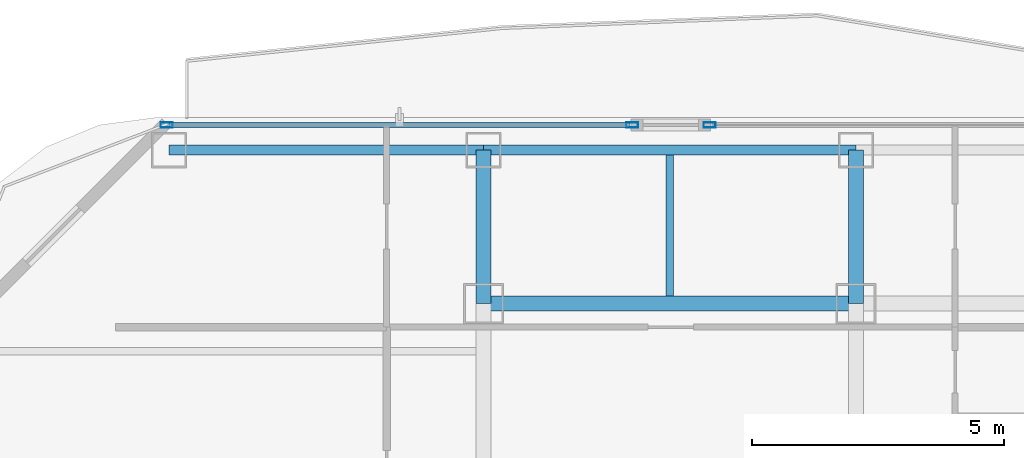
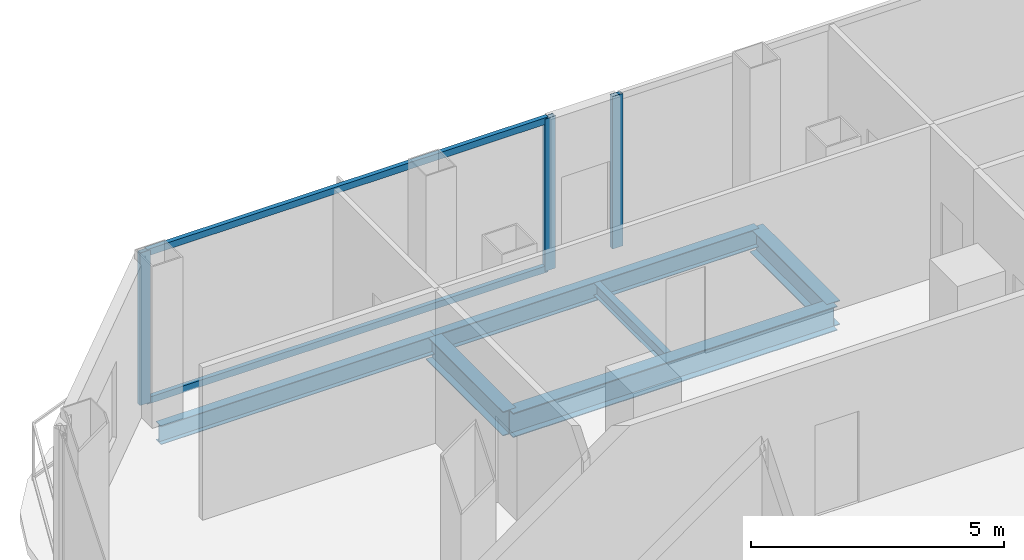
# One storey, part 18 of 34: 6 beams, 5 members, 2 elements without a shape of their own.
"""IFC4 building model written with IfcOpenShell, lengths in metres."""

from ifc_helpers import new_model, si_unit, direction, frame, origin, origin_2d, place, context, subcontext, project, spatial, hollow_rectangle, i_section, extrude, material, layer, layer_set, material_profile, profile_set, type_object, element, aggregate, save


model = new_model("IFC4")

# Units and contexts
model_context = context("Model", 3, precision=1e-05, world=origin(), true_north=direction((0.0, 1.0)))
body_context = subcontext(model_context, "Body", "Model", "MODEL_VIEW")
ifc_project = project(units=[si_unit("LENGTHUNIT", "METRE"), si_unit("AREAUNIT", "SQUARE_METRE"), si_unit("VOLUMEUNIT", "CUBIC_METRE"), si_unit("PLANEANGLEUNIT", "RADIAN"), si_unit("MASSUNIT", "GRAM", prefix="KILO")], contexts=[model_context])

# Site, building, storey
site_placement = place(None, origin())
site = spatial("IfcSite", under=ifc_project, at=site_placement, CompositionType="ELEMENT")
building_placement = place(site_placement, origin())
building = spatial("IfcBuilding", under=site, at=building_placement, Name="Khorvyn Point Tower", CompositionType="ELEMENT")
storey_placement = place(building_placement, frame((0.0, 0.0, 175.800048828125)))
storey = spatial("IfcBuildingStorey", under=building, at=storey_placement, Name="L43", CompositionType="ELEMENT", Elevation=175.800048828125)

# Curtain wall, members
ifc_material_1 = material(Name="Anodised aluminium 6063-T6 and laminated Low-E glass", Category="aluminium")
ifc_layer = layer(ifc_material_1, 0.18994140625)
ifc_layer_set = layer_set([ifc_layer], Name="Stick-Built Acoustic Curtain Wall CW-SYS-03")
curtain_wall_type = type_object("IfcCurtainWallType", Name="Stick-Built Acoustic Curtain Wall CW-SYS-03", PredefinedType="NOTDEFINED", material=ifc_layer_set)
curtain_wall_1_placement = place(storey_placement, origin())
curtain_wall_1 = element("IfcCurtainWall", 1, at=curtain_wall_1_placement, inside=storey, type_object=curtain_wall_type, Name="Curtain Wall", PredefinedType="NOTDEFINED")
ifc_material_2 = material(Name="Anodised aluminium 6063-T6", Category="aluminium")
ifc_material_profile_1 = material_profile(ifc_material_2, hollow_rectangle(XDim=0.10009765625, YDim=0.239990234375, WallThickness=0.0048828125, at=origin_2d()))
ifc_profile_set_1 = profile_set([ifc_material_profile_1], Name="Anodised aluminium 6063-T6 ALU-MUL-100x240")
member_type_1 = type_object("IfcMemberType", Name="Anodised Aluminium 6063-T6 Mullion ALU-MUL-100x240", PredefinedType="MULLION", material=ifc_profile_set_1)
member_1_placement = place(storey_placement, frame((-21.10009765625, 23.64990234375, 0.0), z_axis=(0.0, 0.0, 1.0), x_axis=(0.0, 1.0, 0.0)))
member_1 = element("IfcMember", 2, at=member_1_placement, type_object=member_type_1, Name="Transom", PredefinedType="MULLION", context=body_context, shape_type="SweptSolid", body=[
    extrude(hollow_rectangle(XDim=0.10009765625, YDim=0.239990234375, WallThickness=0.0048828125, at=origin_2d()), origin(), (0.0, 0.0, 1.0), 3.679931640625),
])
member_2_placement = place(storey_placement, frame((-11.846923828125, 23.64990234375, 0.0), z_axis=(0.0, 0.0, 1.0), x_axis=(0.0, 1.0, 0.0)))
member_2 = element("IfcMember", 3, at=member_2_placement, type_object=member_type_1, Name="Transom", PredefinedType="MULLION", context=body_context, shape_type="SweptSolid", body=[
    extrude(hollow_rectangle(XDim=0.10009765625, YDim=0.239990234375, WallThickness=0.0048828125, at=origin_2d()), origin(), (0.0, 0.0, 1.0), 3.679931640625),
])

# Curtain wall, member
curtain_wall_2_placement = place(storey_placement, origin())
curtain_wall_2 = element("IfcCurtainWall", 4, at=curtain_wall_2_placement, inside=storey, type_object=curtain_wall_type, Name="Curtain Wall", PredefinedType="NOTDEFINED")
member_3_placement = place(storey_placement, frame((-10.306884765625, 23.64990234375, 0.0), z_axis=(0.0, 0.0, 1.0), x_axis=(0.0, 1.0, 0.0)))
member_3 = element("IfcMember", 5, at=member_3_placement, type_object=member_type_1, Name="Transom", PredefinedType="MULLION", context=body_context, shape_type="SweptSolid", body=[
    extrude(hollow_rectangle(XDim=0.10009765625, YDim=0.239990234375, WallThickness=0.0048828125, at=origin_2d()), origin(), (0.0, 0.0, 1.0), 3.679931640625),
])
aggregate(curtain_wall_2, [member_3])

# Member
ifc_material_profile_2 = material_profile(ifc_material_2, hollow_rectangle(XDim=0.10009765625, YDim=0.159912109375, WallThickness=0.00439453125, at=origin_2d()))
ifc_profile_set_2 = profile_set([ifc_material_profile_2], Name="Anodised aluminium 6063-T6 ALU-TRN-100x160")
member_type_2 = type_object("IfcMemberType", Name="Anodised Aluminium 6063-T6 Transom ALU-TRN-100x160", PredefinedType="USERDEFINED", material=ifc_profile_set_2)
member_4_placement = place(storey_placement, frame((-21.050048828125, 23.64990234375, 0.050048828125), z_axis=(1.0, 0.0, 0.0), x_axis=(0.0, 1.0, 0.0)))
member_4 = element("IfcMember", 6, at=member_4_placement, type_object=member_type_2, Name="Transom", ObjectType="TRANSOM", PredefinedType="USERDEFINED", context=body_context, shape_type="SweptSolid", body=[
    extrude(hollow_rectangle(XDim=0.10009765625, YDim=0.159912109375, WallThickness=0.00439453125, at=origin_2d()), origin(), (0.0, 0.0, 1.0), 9.153076171875),
])

member_5_placement = place(storey_placement, frame((-21.050048828125, 23.64990234375, 3.6298828125), z_axis=(1.0, 0.0, 0.0), x_axis=(0.0, 1.0, 0.0)))
member_5 = element("IfcMember", 7, at=member_5_placement, type_object=member_type_2, Name="Transom", ObjectType="TRANSOM", PredefinedType="USERDEFINED", context=body_context, shape_type="SweptSolid", body=[
    extrude(hollow_rectangle(XDim=0.10009765625, YDim=0.159912109375, WallThickness=0.00439453125, at=origin_2d()), origin(), (0.0, 0.0, 1.0), 9.153076171875),
])

aggregate(curtain_wall_1, [member_1, member_2, member_4, member_5])

# Beams
ifc_material_3 = material(Name="Steel S355", Category="steel")
ifc_material_profile_3 = material_profile(ifc_material_3, i_section(OverallWidth=0.300048828125, OverallDepth=0.587890625, WebThickness=0.011962890625, FlangeThickness=0.02001953125, at=origin_2d()))
ifc_profile_set_3 = profile_set([ifc_material_profile_3], Name="Steel S355 H588x300x12x20")
beam_type_1 = type_object("IfcBeamType", Name="Steel S355 Beam H588x300x12x20", PredefinedType="BEAM", material=ifc_profile_set_3)
beam_1_placement = place(storey_placement, frame((-14.800048828125, 20.10009765625, -0.51416015625), z_axis=(1.0, 0.0, 0.0), x_axis=(0.0, 1.0, 0.0)))
element("IfcBeam", 8, at=beam_1_placement, inside=storey, type_object=beam_type_1, Name="Beam", PredefinedType="BEAM", context=body_context, shape_type="SweptSolid", body=[
    extrude(i_section(OverallWidth=0.300048828125, OverallDepth=0.587890625, WebThickness=0.011962890625, FlangeThickness=0.02001953125, at=origin_2d()), origin(), (0.0, 0.0, 1.0), 7.400146484375),
])
for number, where, z_axis, x_axis, name in (
    (9, (-14.800048828125, 20.10009765625, -0.51416015625), (0.0, 1.0, 0.0), (-1.0, 0.0, 0.0), "Beam"),
    (10, (-7.39990234375, 20.10009765625, -0.51416015625), (0.0, 1.0, 0.0), (-1.0, 0.0, 0.0), "Beam"),
):
    element("IfcBeam", number, at=place(storey_placement, frame(where, z_axis=z_axis, x_axis=x_axis)), inside=storey, type_object=beam_type_1, Name=name, PredefinedType="BEAM", context=body_context, shape_type="SweptSolid", body=[
        extrude(i_section(OverallWidth=0.300048828125, OverallDepth=0.587890625, WebThickness=0.011962890625, FlangeThickness=0.02001953125, at=origin_2d()), origin(), (0.0, 0.0, 1.0), 3.0498046875),
    ])
ifc_material_profile_4 = material_profile(ifc_material_3, i_section(OverallWidth=0.14990234375, OverallDepth=0.300048828125, WebThickness=0.006591796875, FlangeThickness=0.009033203125, at=origin_2d()))
ifc_profile_set_4 = profile_set([ifc_material_profile_4], Name="Steel S355 H300x150x6.5x9")
beam_type_2 = type_object("IfcBeamType", Name="Steel S355 Joist H300x150x6.5x9", PredefinedType="JOIST", material=ifc_profile_set_4)
beam_2_placement = place(storey_placement, frame((-11.10009765625, 20.25, -0.3701171875), z_axis=(0.0, 1.0, 0.0), x_axis=(-1.0, 0.0, 0.0)))
element("IfcBeam", 11, at=beam_2_placement, inside=storey, type_object=beam_type_2, Name="Beam", PredefinedType="JOIST", context=body_context, shape_type="SweptSolid", body=[
    extrude(i_section(OverallWidth=0.14990234375, OverallDepth=0.300048828125, WebThickness=0.006591796875, FlangeThickness=0.009033203125, at=origin_2d()), origin(), (0.0, 0.0, 1.0), 2.800048828125),
])
ifc_material_profile_5 = material_profile(ifc_material_3, i_section(OverallWidth=0.199951171875, OverallDepth=0.449951171875, WebThickness=0.009033203125, FlangeThickness=0.013916015625, at=origin_2d()))
ifc_profile_set_5 = profile_set([ifc_material_profile_5], Name="Steel S355 H450x200x9x14")
beam_type_3 = type_object("IfcBeamType", Name="Steel S355 Spandrel H450x200x9x14", PredefinedType="SPANDREL", material=ifc_profile_set_5)
beam_3_placement = place(storey_placement, frame((-21.050048828125, 23.14990234375, -0.445068359375), z_axis=(1.0, 0.0, 0.0), x_axis=(0.0, 1.0, 0.0)))
element("IfcBeam", 12, at=beam_3_placement, inside=storey, type_object=beam_type_3, Name="Beam", PredefinedType="SPANDREL", context=body_context, shape_type="SweptSolid", body=[
    extrude(i_section(OverallWidth=0.199951171875, OverallDepth=0.449951171875, WebThickness=0.009033203125, FlangeThickness=0.013916015625, at=origin_2d()), origin(), (0.0, 0.0, 1.0), 6.25),
])
beam_4_placement = place(storey_placement, frame((-14.800048828125, 23.14990234375, -0.445068359375), z_axis=(1.0, 0.0, 0.0), x_axis=(0.0, 1.0, 0.0)))
element("IfcBeam", 13, at=beam_4_placement, inside=storey, type_object=beam_type_3, Name="Beam", PredefinedType="SPANDREL", context=body_context, shape_type="SweptSolid", body=[
    extrude(i_section(OverallWidth=0.199951171875, OverallDepth=0.449951171875, WebThickness=0.009033203125, FlangeThickness=0.013916015625, at=origin_2d()), origin(), (0.0, 0.0, 1.0), 7.400146484375),
])

save(model, "model.ifc")
